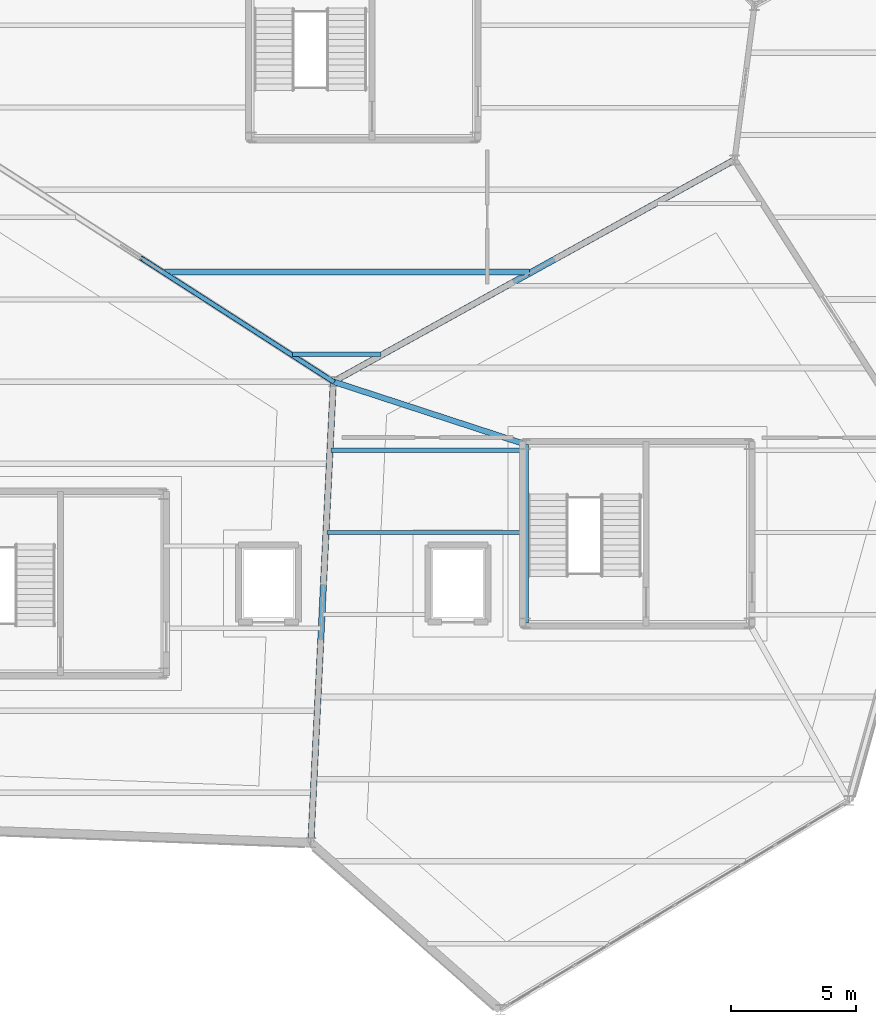
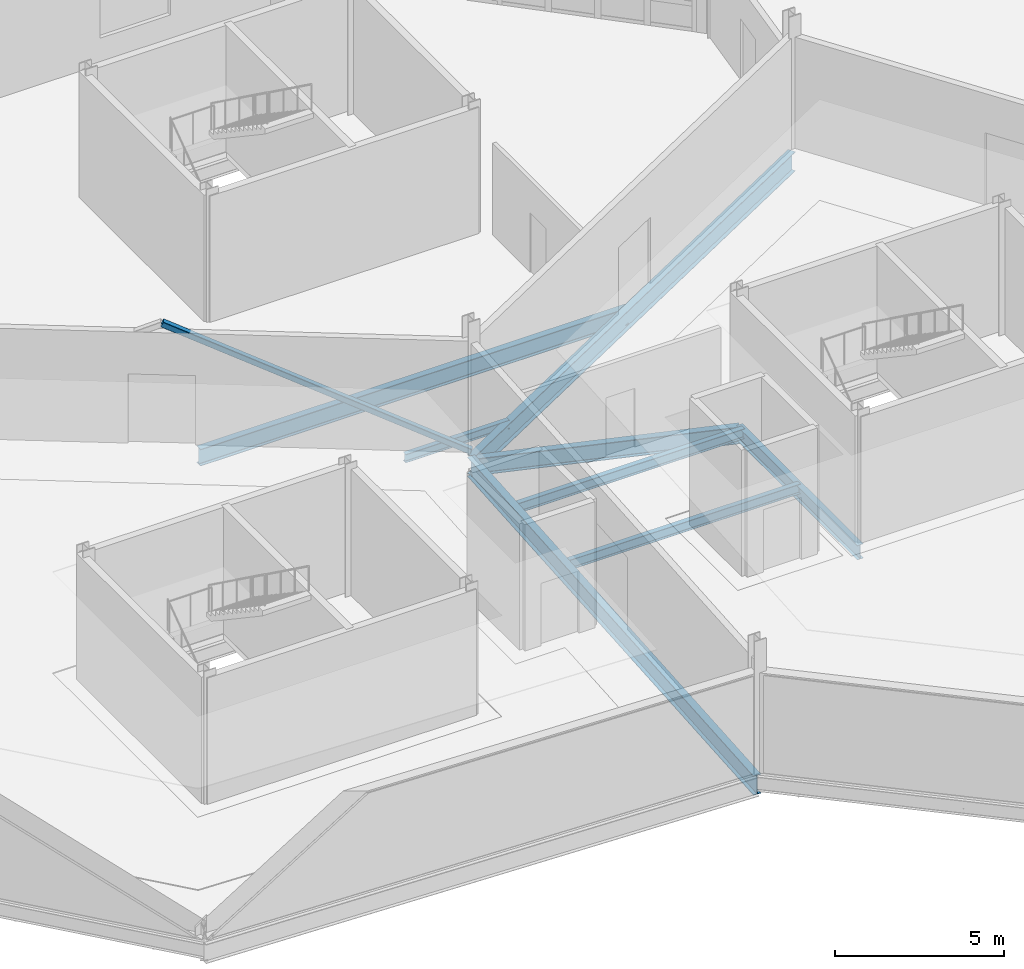
# One storey, part 62 of 134: 8 beams, 1 member.
"""IFC4 building model written with IfcOpenShell, lengths in metres."""

from ifc_helpers import new_model, si_unit, direction, frame, origin, origin_2d, place, context, subcontext, project, spatial, hollow_rectangle, i_section, extrude, material, material_profile, profile_set, type_object, element, save


model = new_model("IFC4")

# Units and contexts
model_context = context("Model", 3, precision=1e-05, world=origin(), true_north=direction((0.0, 1.0)))
body_context = subcontext(model_context, "Body", "Model", "MODEL_VIEW")
ifc_project = project(units=[si_unit("LENGTHUNIT", "METRE"), si_unit("AREAUNIT", "SQUARE_METRE"), si_unit("VOLUMEUNIT", "CUBIC_METRE"), si_unit("PLANEANGLEUNIT", "RADIAN"), si_unit("MASSUNIT", "GRAM", prefix="KILO")], contexts=[model_context])

# Site, building, storey
site_placement = place(None, origin())
site = spatial("IfcSite", under=ifc_project, at=site_placement, CompositionType="ELEMENT")
building_placement = place(site_placement, origin())
building = spatial("IfcBuilding", under=site, at=building_placement, Name="Tameran Prism Museum", CompositionType="ELEMENT")
storey_placement = place(building_placement, frame((0.0, 0.0, 5.39990234375)))
storey = spatial("IfcBuildingStorey", under=building, at=storey_placement, Name="L01", CompositionType="ELEMENT", Elevation=5.39990234375)

# Beams
ifc_material_1 = material(Name="Steel Grade 300PLUS (300 MPa)", Category="steel")
ifc_material_profile_1 = material_profile(ifc_material_1, i_section(OverallWidth=0.1650390625, OverallDepth=0.303955078125, WebThickness=0.006103515625, FlangeThickness=0.01025390625, FilletRadius=0.011474609375, at=origin_2d()))
ifc_profile_set_1 = profile_set([ifc_material_profile_1])
beam_type_1 = type_object("IfcBeamType", Name="BM-J310B", PredefinedType="JOIST", material=ifc_profile_set_1)
beam_1_placement = place(storey_placement, frame((117.1630859375, 90.199951171875, -0.351806640625), z_axis=(1.0, 0.0, 0.0), x_axis=(0.0, 1.0, 0.0)))
element("IfcBeam", 1, at=beam_1_placement, inside=storey, type_object=beam_type_1, Name="Floor Beam BM-0521", PredefinedType="JOIST", context=body_context, shape_type="SweptSolid", body=[
    extrude(i_section(OverallWidth=0.1650390625, OverallDepth=0.303955078125, WebThickness=0.006103515625, FlangeThickness=0.01025390625, FilletRadius=0.011474609375, at=origin_2d()), origin(), (0.0, 0.0, 1.0), 3.5439453125),
])
ifc_material_2 = material(Name="Steel Grade 300PLUS (300 MPa)", Category="steel")
ifc_material_profile_2 = material_profile(ifc_material_2, i_section(OverallWidth=0.172119140625, OverallDepth=0.35888671875, WebThickness=0.008056640625, FlangeThickness=0.012939453125, FilletRadius=0.011474609375, at=origin_2d()))
ifc_profile_set_2 = profile_set([ifc_material_profile_2])
beam_type_2 = type_object("IfcBeamType", Name="BM-J360A", PredefinedType="JOIST", material=ifc_profile_set_2)
beam_2_placement = place(storey_placement, frame((118.7060546875, 86.35009765625, -0.37939453125), z_axis=(1.0, 0.0, 0.0), x_axis=(0.0, 1.0, 0.0)))
element("IfcBeam", 2, at=beam_2_placement, inside=storey, type_object=beam_type_2, Name="Floor Beam BM-0516", PredefinedType="JOIST", context=body_context, shape_type="SweptSolid", body=[
    extrude(i_section(OverallWidth=0.172119140625, OverallDepth=0.35888671875, WebThickness=0.008056640625, FlangeThickness=0.012939453125, FilletRadius=0.011474609375, at=origin_2d()), origin(), (0.0, 0.0, 1.0), 7.81396484375),
])
ifc_material_3 = material(Name="Steel Grade 300PLUS (300 MPa)", Category="steel")
ifc_material_profile_3 = material_profile(ifc_material_3, i_section(OverallWidth=0.1708984375, OverallDepth=0.35595703125, WebThickness=0.00732421875, FlangeThickness=0.011474609375, FilletRadius=0.011474609375, at=origin_2d()))
ifc_profile_set_3 = profile_set([ifc_material_profile_3])
beam_type_3 = type_object("IfcBeamType", Name="BM-J360B", PredefinedType="JOIST", material=ifc_profile_set_3)
beam_3_placement = place(storey_placement, frame((118.5458984375, 83.050048828125, -0.3779296875), z_axis=(1.0, 0.0, 0.0), x_axis=(0.0, 1.0, 0.0)))
element("IfcBeam", 3, at=beam_3_placement, inside=storey, type_object=beam_type_3, Name="Floor Beam BM-0514", PredefinedType="JOIST", context=body_context, shape_type="SweptSolid", body=[
    extrude(i_section(OverallWidth=0.1708984375, OverallDepth=0.35595703125, WebThickness=0.00732421875, FlangeThickness=0.011474609375, FilletRadius=0.011474609375, at=origin_2d()), origin(), (0.0, 0.0, 1.0), 7.97412109375),
])
ifc_material_4 = material(Name="Steel Grade 300PLUS (300 MPa)", Category="steel")
ifc_material_profile_4 = material_profile(ifc_material_4, i_section(OverallWidth=0.208984375, OverallDepth=0.528076171875, WebThickness=0.009521484375, FlangeThickness=0.01318359375, FilletRadius=0.013916015625, at=origin_2d()))
ifc_profile_set_4 = profile_set([ifc_material_profile_4])
beam_type_4 = type_object("IfcBeamType", Name="BM-SP530B", PredefinedType="SPANDREL", material=ifc_profile_set_4)
beam_4_placement = place(storey_placement, frame((126.52001953125, 86.580078125, -0.50390625), z_axis=(0.0, -1.0, 0.0), x_axis=(1.0, 0.0, 0.0)))
element("IfcBeam", 4, at=beam_4_placement, inside=storey, type_object=beam_type_4, Name="Core Ring Beam CTB-0445", PredefinedType="SPANDREL", context=body_context, shape_type="SweptSolid", body=[
    extrude(i_section(OverallWidth=0.208984375, OverallDepth=0.528076171875, WebThickness=0.009521484375, FlangeThickness=0.01318359375, FilletRadius=0.013916015625, at=origin_2d()), origin(), (0.0, 0.0, 1.0), 7.16015625),
])
ifc_material_5 = material(Name="Steel Grade 350 (350 MPa)", Category="steel")
ifc_material_profile_5 = material_profile(ifc_material_5, i_section(OverallWidth=0.25, OverallDepth=0.699951171875, WebThickness=0.010009765625, FlangeThickness=0.02001953125, at=origin_2d()))
ifc_profile_set_5 = profile_set([ifc_material_profile_5])
beam_type_5 = type_object("IfcBeamType", Name="BM-SP700", PredefinedType="SPANDREL", material=ifc_profile_set_5)
beam_5_placement = place(storey_placement, frame((117.89990234375, 70.60009765625, -0.5498046875), z_axis=(0.048599072515, 0.998818366947, 0.0), x_axis=(-0.998818366947, 0.048599072515, 0.0)))
element("IfcBeam", 5, at=beam_5_placement, inside=storey, type_object=beam_type_5, Name="Perimeter Spandrel SP-0326", PredefinedType="SPANDREL", context=body_context, shape_type="SweptSolid", body=[
    extrude(i_section(OverallWidth=0.25, OverallDepth=0.699951171875, WebThickness=0.010009765625, FlangeThickness=0.02001953125, at=origin_2d()), origin(), (0.0, 0.0, 1.0), 18.52197265625),
])
beam_6_placement = place(storey_placement, frame((134.89990234375, 98.0, -0.5498046875), z_axis=(-0.875181353329, -0.483794996652, 0.0), x_axis=(0.483794996652, -0.875181353329, 0.0)))
element("IfcBeam", 6, at=beam_6_placement, inside=storey, type_object=beam_type_5, Name="Perimeter Spandrel SP-0334", PredefinedType="SPANDREL", context=body_context, shape_type="SweptSolid", body=[
    extrude(i_section(OverallWidth=0.25, OverallDepth=0.699951171875, WebThickness=0.010009765625, FlangeThickness=0.02001953125, at=origin_2d()), origin(), (0.0, 0.0, 1.0), 18.39599609375),
])
ifc_material_6 = material(Name="Steel Grade 300PLUS (300 MPa)", Category="steel")
ifc_material_profile_6 = material_profile(ifc_material_6, i_section(OverallWidth=0.22900390625, OverallDepth=0.612060546875, WebThickness=0.011962890625, FlangeThickness=0.01953125, FilletRadius=0.013916015625, at=origin_2d()))
ifc_profile_set_6 = profile_set([ifc_material_profile_6])
beam_type_6 = type_object("IfcBeamType", Name="BM-UB610A", PredefinedType="BEAM", material=ifc_profile_set_6)
beam_7_placement = place(storey_placement, frame((126.52001953125, 86.580078125, -0.559814453125), z_axis=(-0.950634056225, 0.310314181346, 0.0), x_axis=(-0.310314181346, -0.950634056225, 0.0)))
element("IfcBeam", 7, at=beam_7_placement, inside=storey, type_object=beam_type_6, Name="Frame Tie Girder FG-1394", PredefinedType="BEAM", context=body_context, shape_type="SweptSolid", body=[
    extrude(i_section(OverallWidth=0.22900390625, OverallDepth=0.612060546875, WebThickness=0.011962890625, FlangeThickness=0.01953125, FilletRadius=0.013916015625, at=origin_2d()), origin(), (0.0, 0.0, 1.0), 8.120849609375),
])
ifc_material_7 = material(Name="Steel Grade 300PLUS (300 MPa)", Category="steel")
ifc_material_profile_7 = material_profile(ifc_material_7, i_section(OverallWidth=0.22802734375, OverallDepth=0.60693359375, WebThickness=0.01123046875, FlangeThickness=0.017333984375, FilletRadius=0.013916015625, at=origin_2d()))
ifc_profile_set_7 = profile_set([ifc_material_profile_7])
beam_type_7 = type_object("IfcBeamType", Name="BM-UB610B", PredefinedType="BEAM", material=ifc_profile_set_7)
beam_8_placement = place(storey_placement, frame((112.030029296875, 93.5, -0.50341796875), z_axis=(1.0, 0.0, 0.0), x_axis=(0.0, 1.0, 0.0)))
element("IfcBeam", 8, at=beam_8_placement, inside=storey, type_object=beam_type_7, Name="Floor Beam BM-0522", PredefinedType="BEAM", context=body_context, shape_type="SweptSolid", body=[
    extrude(i_section(OverallWidth=0.22802734375, OverallDepth=0.60693359375, WebThickness=0.01123046875, FlangeThickness=0.017333984375, FilletRadius=0.013916015625, at=origin_2d()), origin(), (0.0, 0.0, 1.0), 14.64697265625),
])

# Member
ifc_material_8 = material(Name="Steel Grade C350L0 (350 MPa)", Category="steel")
ifc_material_profile_8 = material_profile(ifc_material_8, hollow_rectangle(XDim=0.199951171875, YDim=0.199951171875, WallThickness=0.009033203125, InnerFilletRadius=0.013427734375, OuterFilletRadius=0.0224609375, at=origin_2d()))
ifc_profile_set_8 = profile_set([ifc_material_profile_8])
member_type = type_object("IfcMemberType", Name="MM-BR-SHS200", PredefinedType="BRACE", material=ifc_profile_set_8)
member_placement = place(storey_placement, frame((118.800048828125, 89.10009765625, 0.0), z_axis=(-0.761358209643, 0.489442839041, 0.425181589348), x_axis=(-0.540756243316, -0.841179341945, 0.0)))
element("IfcMember", 9, at=member_placement, inside=storey, type_object=member_type, Name="Lateral Chevron Brace CBF-015", PredefinedType="BRACE", context=body_context, shape_type="SweptSolid", body=[
    extrude(hollow_rectangle(XDim=0.199951171875, YDim=0.199951171875, WallThickness=0.009033203125, InnerFilletRadius=0.013427734375, OuterFilletRadius=0.0224609375, at=origin_2d()), origin(), (0.0, 0.0, 1.0), 10.113525390625),
])

save(model, "model.ifc")
